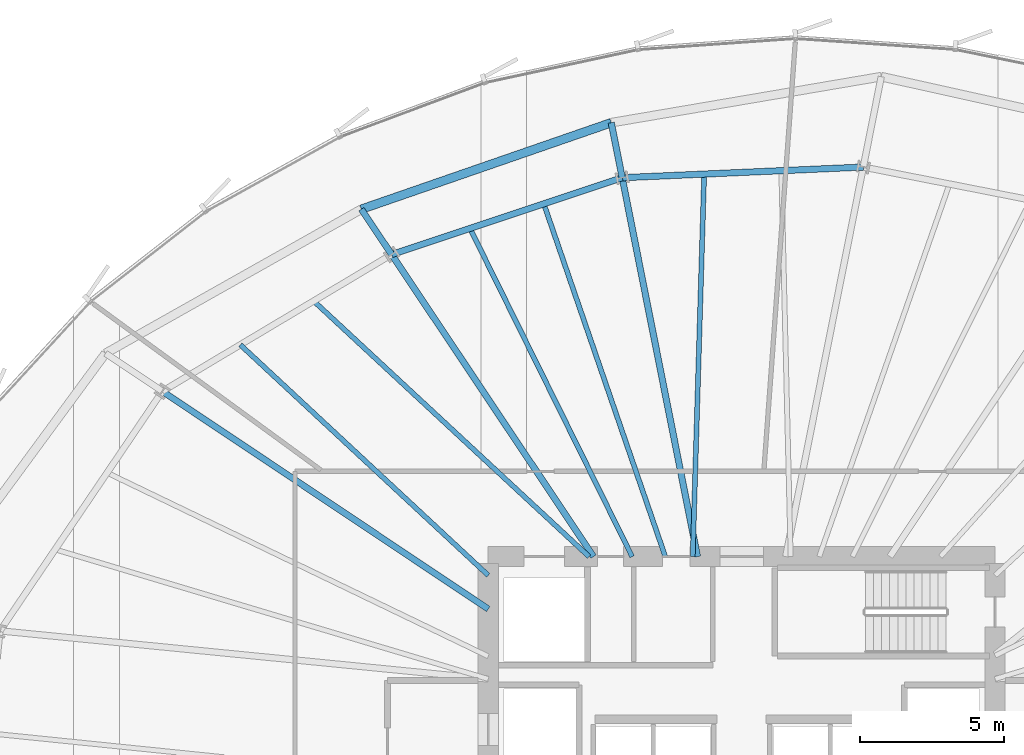
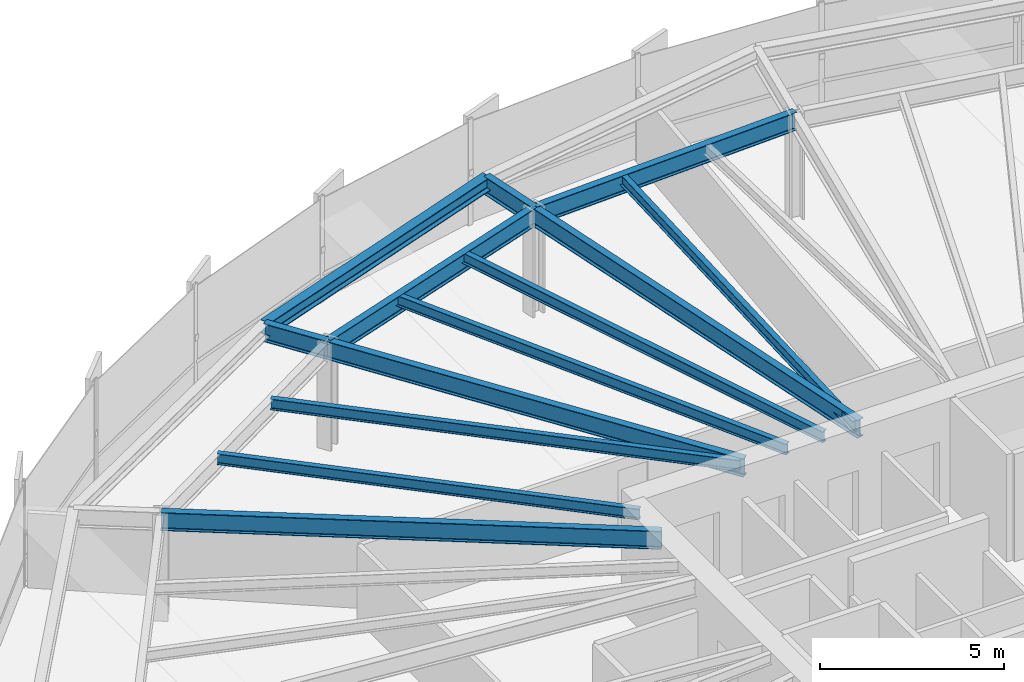
# One storey, part 21 of 38: 13 beams.
"""IFC4 building model written with IfcOpenShell, lengths in metres."""

from ifc_helpers import new_model, si_unit, direction, frame, origin, origin_2d, place, context, subcontext, project, spatial, i_section, extrude, source, transform, mapped, material, material_profile, profile_set, type_object, element, save


model = new_model("IFC4")

# Units and contexts
model_context = context("Model", 3, precision=1e-05, world=origin(), true_north=direction((0.0, 1.0)))
body_context = subcontext(model_context, "Body", "Model", "MODEL_VIEW")
ifc_project = project(units=[si_unit("LENGTHUNIT", "METRE"), si_unit("AREAUNIT", "SQUARE_METRE"), si_unit("VOLUMEUNIT", "CUBIC_METRE"), si_unit("PLANEANGLEUNIT", "RADIAN"), si_unit("MASSUNIT", "GRAM", prefix="KILO"), si_unit("THERMODYNAMICTEMPERATUREUNIT", "KELVIN")], contexts=[model_context])

# Site, building, storey
site_placement = place(None, origin())
site = spatial("IfcSite", under=ifc_project, at=site_placement, CompositionType="ELEMENT")
building_placement = place(site_placement, origin())
building = spatial("IfcBuilding", under=site, at=building_placement, Name="Kethvar Cultural Tower", CompositionType="ELEMENT")
storey_placement = place(building_placement, frame((0.0, 0.0, 63.800048828125)))
storey = spatial("IfcBuildingStorey", under=building, at=storey_placement, Name="L15", CompositionType="ELEMENT", Elevation=63.800048828125)

# Beams
ifc_material = material(Name="Steel S355J2", Category="steel")
ifc_material_profile_1 = material_profile(ifc_material, i_section(OverallWidth=0.219970703125, OverallDepth=0.60009765625, WebThickness=0.011962890625, FlangeThickness=0.01904296875, FilletRadius=0.02392578125, at=origin_2d()), Name="Steel S355J2 — IPE600")
ifc_profile_set_1 = profile_set([ifc_material_profile_1], Name="Steel S355J2 — IPE600")
beam_type_1 = type_object("IfcBeamType", Name="BM-IPE600", PredefinedType="BEAM", material=ifc_profile_set_1)
shared_shape_1 = source(origin(), body_context, "Body", "SweptSolid", [
    extrude(i_section(OverallWidth=0.219970703125, OverallDepth=0.60009765625, WebThickness=0.011962890625, FlangeThickness=0.01904296875, FilletRadius=0.02392578125, at=origin_2d()), origin(), (0.0, 0.0, 1.0), 13.41357421875),
])
beam_1_placement = place(storey_placement, frame((45.268310546875, 35.5, 3.248046875), z_axis=(-0.195079960025, 0.980787341474, 0.0), x_axis=(-0.980787341474, -0.195079960025, 0.0)))
element("IfcBeam", 1, at=beam_1_placement, inside=storey, type_object=beam_type_1, Name="L15 Primary Radial Beam RB-05", PredefinedType="BEAM", context=body_context, shape_type="MappedRepresentation", body=[
    mapped(shared_shape_1, transform((0.0, 0.0, 0.0), scale=1.0)),
])
shared_shape_2 = source(origin(), body_context, "Body", "SweptSolid", [
    extrude(i_section(OverallWidth=0.219970703125, OverallDepth=0.60009765625, WebThickness=0.011962890625, FlangeThickness=0.01904296875, FilletRadius=0.02392578125, at=origin_2d()), origin(), (0.0, 0.0, 1.0), 12.615966796875),
])
beam_2_placement = place(storey_placement, frame((41.655029296875, 35.5, 3.248046875), z_axis=(-0.555570723257, 0.831469284736, 0.0), x_axis=(-0.831469284736, -0.555570723257, 0.0)))
element("IfcBeam", 2, at=beam_2_placement, inside=storey, type_object=beam_type_1, Name="L15 Primary Radial Beam RB-06", PredefinedType="BEAM", context=body_context, shape_type="MappedRepresentation", body=[
    mapped(shared_shape_2, transform((0.0, 0.0, 0.0), scale=1.0)),
])
shared_shape_3 = source(origin(), body_context, "Body", "SweptSolid", [
    extrude(i_section(OverallWidth=0.219970703125, OverallDepth=0.60009765625, WebThickness=0.011962890625, FlangeThickness=0.01904296875, FilletRadius=0.02392578125, at=origin_2d()), origin(), (0.0, 0.0, 1.0), 13.60888671875),
])
beam_3_placement = place(storey_placement, frame((38.0, 33.679931640625, 3.248046875), z_axis=(-0.831467486755, 0.555573414113, 0.0), x_axis=(-0.555573414113, -0.831467486755, 0.0)))
element("IfcBeam", 3, at=beam_3_placement, inside=storey, type_object=beam_type_1, Name="L15 Primary Radial Beam RB-07", PredefinedType="BEAM", context=body_context, shape_type="MappedRepresentation", body=[
    mapped(shared_shape_3, transform((0.0, 0.0, 0.0), scale=1.0)),
])
shared_shape_4 = source(origin(), body_context, "Body", "SweptSolid", [
    extrude(i_section(OverallWidth=0.219970703125, OverallDepth=0.60009765625, WebThickness=0.011962890625, FlangeThickness=0.01904296875, FilletRadius=0.02392578125, at=origin_2d()), origin(), (0.0, 0.0, 1.0), 8.378662109375),
])
beam_4_placement = place(storey_placement, frame((51.022216796875, 49.02587890625, 3.248046875), z_axis=(-0.999023890534, -0.04417313825, 0.0), x_axis=(0.04417313825, -0.999023890534, 0.0)))
element("IfcBeam", 4, at=beam_4_placement, inside=storey, type_object=beam_type_1, Name="L15 Column Ring Tie Beam CR-04", PredefinedType="BEAM", context=body_context, shape_type="MappedRepresentation", body=[
    mapped(shared_shape_4, transform((0.0, 0.0, 0.0), scale=1.0)),
])
ifc_material_profile_2 = material_profile(ifc_material, i_section(OverallWidth=0.169921875, OverallDepth=0.360107421875, WebThickness=0.008056640625, FlangeThickness=0.0126953125, FilletRadius=0.01806640625, at=origin_2d()), Name="Steel S355J2 — IPE360")
ifc_profile_set_2 = profile_set([ifc_material_profile_2], Name="Steel S355J2 — IPE360")
beam_type_2 = type_object("IfcBeamType", Name="BM-J360", PredefinedType="JOIST", material=ifc_profile_set_2)
shared_shape_5 = source(origin(), body_context, "Body", "SweptSolid", [
    extrude(i_section(OverallWidth=0.169921875, OverallDepth=0.360107421875, WebThickness=0.008056640625, FlangeThickness=0.0126953125, FilletRadius=0.01806640625, at=origin_2d()), origin(), (0.0, 0.0, 1.0), 13.287353515625),
])
beam_5_placement = place(storey_placement, frame((45.10009765625, 35.5, 3.367919921875), z_axis=(0.029912529234, 0.999552520178, 0.0), x_axis=(-0.999552520178, 0.029912529234, 0.0)))
element("IfcBeam", 5, at=beam_5_placement, inside=storey, type_object=beam_type_2, Name="L15 Composite Floor Joist J-04B", PredefinedType="JOIST", context=body_context, shape_type="MappedRepresentation", body=[
    mapped(shared_shape_5, transform((0.0, 0.0, 0.0), scale=1.0)),
])
shared_shape_6 = source(origin(), body_context, "Body", "SweptSolid", [
    extrude(i_section(OverallWidth=0.219970703125, OverallDepth=0.60009765625, WebThickness=0.011962890625, FlangeThickness=0.01904296875, FilletRadius=0.02392578125, at=origin_2d()), origin(), (0.0, 0.0, 1.0), 8.437744140625),
])
beam_6_placement = place(storey_placement, frame((42.651611328125, 48.65576171875, 3.248046875), z_axis=(-0.948772955115, -0.315958667618, 0.0), x_axis=(0.315958667618, -0.948772955115, 0.0)))
element("IfcBeam", 6, at=beam_6_placement, inside=storey, type_object=beam_type_1, Name="L15 Column Ring Tie Beam CR-05", PredefinedType="BEAM", context=body_context, shape_type="MappedRepresentation", body=[
    mapped(shared_shape_6, transform((0.0, 0.0, 0.0), scale=1.0)),
])
shared_shape_7 = source(origin(), body_context, "Body", "SweptSolid", [
    extrude(i_section(OverallWidth=0.169921875, OverallDepth=0.360107421875, WebThickness=0.008056640625, FlangeThickness=0.0126953125, FilletRadius=0.01806640625, at=origin_2d()), origin(), (0.0, 0.0, 1.0), 12.955322265625),
])
beam_7_placement = place(storey_placement, frame((44.148193359375, 35.5, 3.367919921875), z_axis=(-0.325619549533, 0.945500877293, 0.0), x_axis=(-0.945500877293, -0.325619549533, 0.0)))
element("IfcBeam", 7, at=beam_7_placement, inside=storey, type_object=beam_type_2, Name="L15 Composite Floor Joist J-05A", PredefinedType="JOIST", context=body_context, shape_type="MappedRepresentation", body=[
    mapped(shared_shape_7, transform((0.0, 0.0, 0.0), scale=1.0)),
])
shared_shape_8 = source(origin(), body_context, "Body", "SweptSolid", [
    extrude(i_section(OverallWidth=0.169921875, OverallDepth=0.360107421875, WebThickness=0.008056640625, FlangeThickness=0.0126953125, FilletRadius=0.01806640625, at=origin_2d()), origin(), (0.0, 0.0, 1.0), 12.710693359375),
])
beam_8_placement = place(storey_placement, frame((42.996826171875, 35.5, 3.367919921875), z_axis=(-0.442851992051, 0.896594731825, 0.0), x_axis=(-0.896594731825, -0.442851992051, 0.0)))
element("IfcBeam", 8, at=beam_8_placement, inside=storey, type_object=beam_type_2, Name="L15 Composite Floor Joist J-05B", PredefinedType="JOIST", context=body_context, shape_type="MappedRepresentation", body=[
    mapped(shared_shape_8, transform((0.0, 0.0, 0.0), scale=1.0)),
])
shared_shape_9 = source(origin(), body_context, "Body", "SweptSolid", [
    extrude(i_section(OverallWidth=0.169921875, OverallDepth=0.360107421875, WebThickness=0.008056640625, FlangeThickness=0.0126953125, FilletRadius=0.01806640625, at=origin_2d()), origin(), (0.0, 0.0, 1.0), 13.045166015625),
])
beam_9_placement = place(storey_placement, frame((41.5, 35.5, 3.367919921875), z_axis=(-0.732903465528, 0.680332646737, 0.0), x_axis=(-0.680332646737, -0.732903465528, 0.0)))
element("IfcBeam", 9, at=beam_9_placement, inside=storey, type_object=beam_type_2, Name="L15 Composite Floor Joist J-06A", PredefinedType="JOIST", context=body_context, shape_type="MappedRepresentation", body=[
    mapped(shared_shape_9, transform((0.0, 0.0, 0.0), scale=1.0)),
])
shared_shape_10 = source(origin(), body_context, "Body", "SweptSolid", [
    extrude(i_section(OverallWidth=0.169921875, OverallDepth=0.360107421875, WebThickness=0.008056640625, FlangeThickness=0.0126953125, FilletRadius=0.01806640625, at=origin_2d()), origin(), (0.0, 0.0, 1.0), 11.75537109375),
])
beam_10_placement = place(storey_placement, frame((38.0, 34.85009765625, 3.367919921875), z_axis=(-0.732290300234, 0.680992596276, 0.0), x_axis=(-0.680992596276, -0.732290300234, 0.0)))
element("IfcBeam", 10, at=beam_10_placement, inside=storey, type_object=beam_type_2, Name="L15 Composite Floor Joist J-06B", PredefinedType="JOIST", context=body_context, shape_type="MappedRepresentation", body=[
    mapped(shared_shape_10, transform((0.0, 0.0, 0.0), scale=1.0)),
])
shared_shape_11 = source(origin(), body_context, "Body", "SweptSolid", [
    extrude(i_section(OverallWidth=0.219970703125, OverallDepth=0.60009765625, WebThickness=0.011962890625, FlangeThickness=0.01904296875, FilletRadius=0.02392578125, at=origin_2d()), origin(), (0.0, 0.0, 1.0), 1.94775390625),
])
beam_11_placement = place(storey_placement, frame((42.651611328125, 48.65576171875, 3.248046875), z_axis=(-0.195151898753, 0.980773030019, 0.0), x_axis=(-0.980773030019, -0.195151898753, 0.0)))
element("IfcBeam", 11, at=beam_11_placement, inside=storey, type_object=beam_type_1, Name="L15 Perimeter Cantilever Beam RC-05", PredefinedType="BEAM", context=body_context, shape_type="MappedRepresentation", body=[
    mapped(shared_shape_11, transform((0.0, 0.0, 0.0), scale=1.0)),
])
shared_shape_12 = source(origin(), body_context, "Body", "SweptSolid", [
    extrude(i_section(OverallWidth=0.219970703125, OverallDepth=0.60009765625, WebThickness=0.011962890625, FlangeThickness=0.01904296875, FilletRadius=0.02392578125, at=origin_2d()), origin(), (0.0, 0.0, 1.0), 1.89208984375),
])
beam_12_placement = place(storey_placement, frame((34.64599609375, 45.98974609375, 3.248046875), z_axis=(-0.555593145043, 0.831454302521, 0.0), x_axis=(-0.831454302521, -0.555593145043, 0.0)))
element("IfcBeam", 12, at=beam_12_placement, inside=storey, type_object=beam_type_1, Name="L15 Perimeter Cantilever Beam RC-06", PredefinedType="BEAM", context=body_context, shape_type="MappedRepresentation", body=[
    mapped(shared_shape_12, transform((0.0, 0.0, 0.0), scale=1.0)),
])
ifc_material_profile_3 = material_profile(ifc_material, i_section(OverallWidth=0.300048828125, OverallDepth=0.449951171875, WebThickness=0.013916015625, FlangeThickness=0.02587890625, FilletRadius=0.027099609375, at=origin_2d()), Name="Steel S355J2 — HEB450")
ifc_profile_set_3 = profile_set([ifc_material_profile_3], Name="Steel S355J2 — HEB450")
beam_type_3 = type_object("IfcBeamType", Name="BM-SP450", PredefinedType="SPANDREL", material=ifc_profile_set_3)
shared_shape_13 = source(origin(), body_context, "Body", "SweptSolid", [
    extrude(i_section(OverallWidth=0.300048828125, OverallDepth=0.449951171875, WebThickness=0.013916015625, FlangeThickness=0.02587890625, FilletRadius=0.027099609375, at=origin_2d()), origin(), (0.0, 0.0, 1.0), 9.181884765625),
])
beam_13_placement = place(storey_placement, frame((42.271484375, 50.566162109375, 3.322998046875), z_axis=(-0.944996821198, -0.327079513156, 0.0), x_axis=(0.327079513156, -0.944996821198, 0.0)))
element("IfcBeam", 13, at=beam_13_placement, inside=storey, type_object=beam_type_3, Name="L15 Perimeter Spandrel Beam SP-05", PredefinedType="SPANDREL", context=body_context, shape_type="MappedRepresentation", body=[
    mapped(shared_shape_13, transform((0.0, 0.0, 0.0), scale=1.0)),
])

save(model, "model.ifc")
